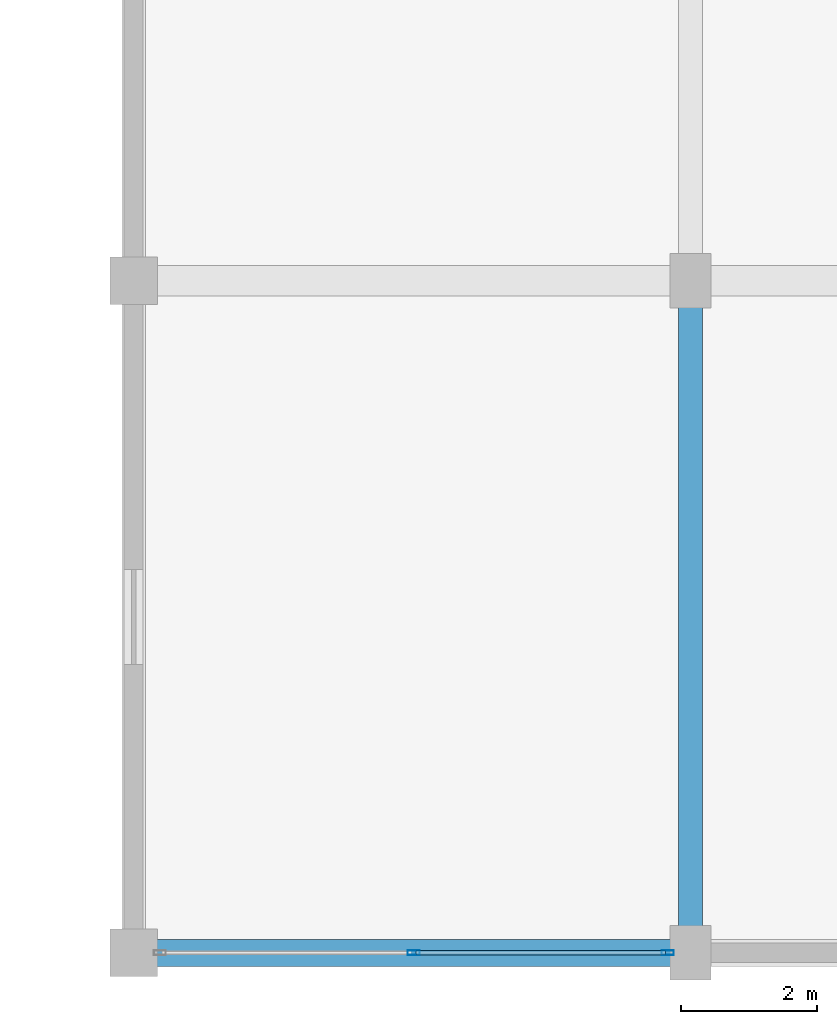
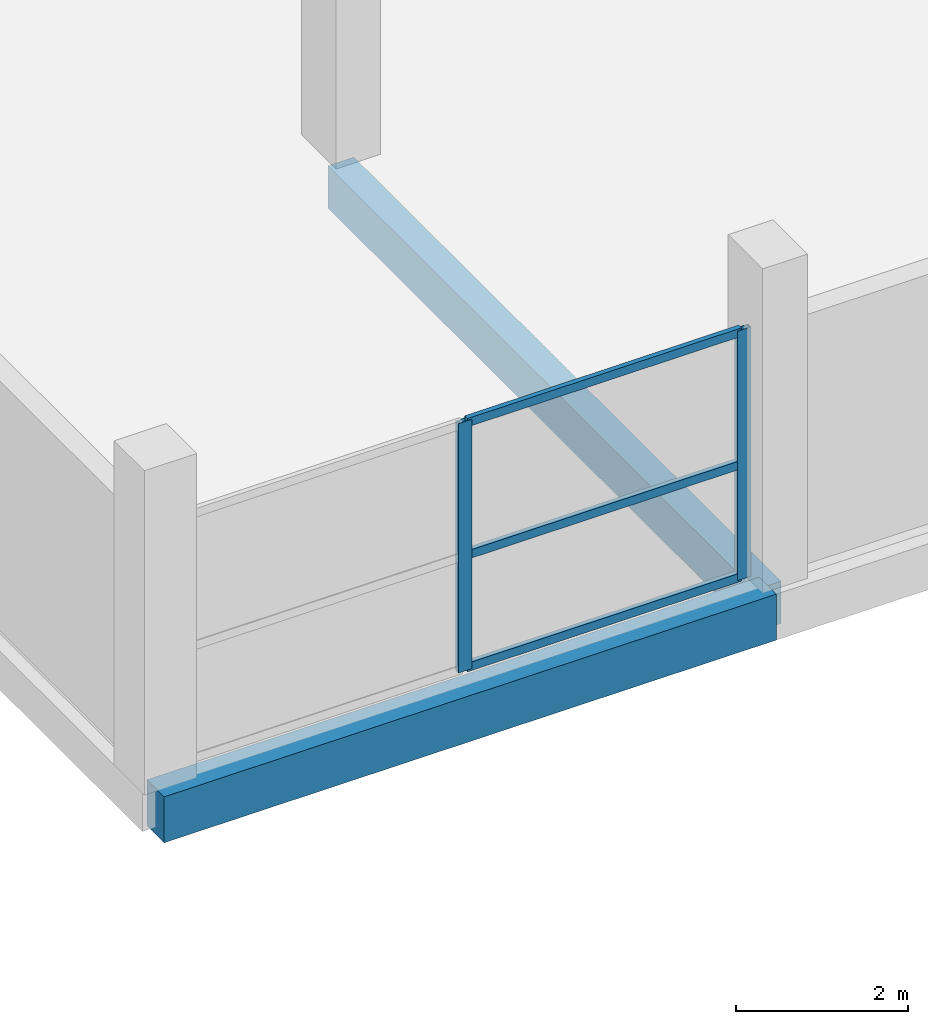
# One storey, part 13 of 55: 5 members, 2 beams, 1 element without a shape of its own.
"""IFC4 building model written with IfcOpenShell, lengths in metres."""

import ifcopenshell
import ifcopenshell.guid

model = None  # the IFC model being written
_history = None  # IfcOwnerHistory: only IFC2X3 demands one
_inside = {}  # id of a spatial element -> (the spatial element, [elements in it])
_under = {}  # id of a project, library or spatial element -> (it, [spatial elements below it])
_declared = {}  # id of a project -> (the project, [libraries it declares])
_typed = {}  # id of a type object -> (the type object, [elements of that type])
_made_of = {}  # id of a material, layer set ... -> (it, [elements and type objects made of it])


def new_model(schema):
    """Start an empty IFC model of exactly this schema.

    Asked for "IFC4X3", IfcOpenShell would pick the latest addendum, in which some entities
    have other attributes; the version numbers below select the first issue.
    IFC2X3 requires an IfcOwnerHistory on every rooted entity: one is made here for all.
    """
    global model, _history
    if schema == "IFC4X3":
        model = ifcopenshell.file(schema_version=(4, 3, 0, 0))
    else:
        model = ifcopenshell.file(schema=schema)
    _inside.clear()
    _under.clear()
    _declared.clear()
    _typed.clear()
    _made_of.clear()
    _history = None
    if model.schema == "IFC2X3":
        org = make("IfcOrganization", Name="unknown")
        user = make(
            "IfcPersonAndOrganization",
            ThePerson=make("IfcPerson", FamilyName="unknown"),
            TheOrganization=org,
        )
        app = make(
            "IfcApplication",
            ApplicationDeveloper=org,
            Version="unknown",
            ApplicationFullName="unknown",
            ApplicationIdentifier="unknown",
        )
        _history = make(
            "IfcOwnerHistory",
            OwningUser=user,
            OwningApplication=app,
            ChangeAction="ADDED",
            CreationDate=0,
        )
    return model


def make(cls, **values):
    """One entity of the class cls with the attributes given. An attribute that is None is left unset."""
    return model.create_entity(
        cls, **{name: value for name, value in values.items() if value is not None}
    )


def rooted(cls, **values):
    """An entity with a GlobalId (a new one), such as an element, a storey or a relation."""
    return make(cls, GlobalId=ifcopenshell.guid.new(), OwnerHistory=_history, **values)


def si_unit(unit_type, name, prefix=None):
    """IfcSIUnit, for example si_unit("LENGTHUNIT", "METRE", prefix="MILLI")."""
    return make("IfcSIUnit", UnitType=unit_type, Prefix=prefix, Name=name)


def assignment(units):
    """IfcUnitAssignment: the units of a project."""
    return None if units is None else make("IfcUnitAssignment", Units=units)


def point(xyz):
    """IfcCartesianPoint."""
    return None if xyz is None else make("IfcCartesianPoint", Coordinates=xyz)


def direction(xyz):
    """IfcDirection."""
    return None if xyz is None else make("IfcDirection", DirectionRatios=xyz)


def frame(location, z_axis=None, x_axis=None):
    """IfcAxis2Placement3D, a coordinate frame: its origin and axes. An axis left out is left unset."""
    return make(
        "IfcAxis2Placement3D",
        Location=point(location),
        Axis=direction(z_axis),
        RefDirection=direction(x_axis),
    )


def frame_2d(location, x_axis=None):
    """IfcAxis2Placement2D, a coordinate frame in the plane: its origin and x axis."""
    return make(
        "IfcAxis2Placement2D", Location=point(location), RefDirection=direction(x_axis)
    )


def origin():
    """The frame at (0, 0, 0) with its axes left unset."""
    return frame((0.0, 0.0, 0.0))


def origin_2d():
    """The frame at (0, 0) in the plane with its x axis left unset."""
    return frame_2d((0.0, 0.0))


def place(relative_to, where):
    """IfcLocalPlacement: puts the frame where relative to a parent placement (None: the world)."""
    return make(
        "IfcLocalPlacement", PlacementRelTo=relative_to, RelativePlacement=where
    )


def context(
    kind, dimensions, precision=None, world=None, true_north=None, identifier=None
):
    """IfcGeometricRepresentationContext, for example the 3D "Model" context."""
    return make(
        "IfcGeometricRepresentationContext",
        ContextIdentifier=identifier,
        ContextType=kind,
        CoordinateSpaceDimension=dimensions,
        Precision=precision,
        WorldCoordinateSystem=world,
        TrueNorth=true_north,
    )


def subcontext(parent, identifier, kind, view, scale=None):
    """IfcGeometricRepresentationSubContext, for example "Body" below "Model"."""
    return make(
        "IfcGeometricRepresentationSubContext",
        ContextIdentifier=identifier,
        ContextType=kind,
        ParentContext=parent,
        TargetScale=scale,
        TargetView=view,
    )


def project(units=None, contexts=None):
    """IfcProject with its units and contexts."""
    return rooted(
        "IfcProject",
        Name="project",
        RepresentationContexts=contexts,
        UnitsInContext=assignment(units),
    )


def spatial(cls, under=None, at=None, **own):
    """A site, building, storey or space (cls), placed at a placement, below another one or the project."""
    s = rooted(cls, ObjectPlacement=at, **own)
    if under is not None:
        _under.setdefault(under.id(), (under, []))[1].append(s)
    return s


def profile(cls, at=None, kind="AREA", **sizes):
    """A parametric profile (cls). Its sizes go by their IFC names, for example OverallWidth=200.0."""
    return make(cls, ProfileType=kind, Position=at, **sizes)


def rectangle(**sizes):
    """IfcRectangleProfileDef."""
    return profile("IfcRectangleProfileDef", **sizes)


def hollow_rectangle(**sizes):
    """IfcRectangleHollowProfileDef."""
    return profile("IfcRectangleHollowProfileDef", **sizes)


def extrude(swept, where, along, depth):
    """IfcExtrudedAreaSolid: the profile swept, set in the frame where, extruded along a direction by depth."""
    return make(
        "IfcExtrudedAreaSolid",
        SweptArea=swept,
        Position=where,
        ExtrudedDirection=direction(along),
        Depth=depth,
    )


def shape(context_of_items, identifier, shape_type, items):
    """IfcShapeRepresentation: the items that make up one representation, for example the "Body"."""
    return make(
        "IfcShapeRepresentation",
        ContextOfItems=context_of_items,
        RepresentationIdentifier=identifier,
        RepresentationType=shape_type,
        Items=items,
    )


def material(Name=None, Category=None):
    """IfcMaterial."""
    return make("IfcMaterial", Name=Name, Category=Category)


def layer(
    of_material, thickness, ventilated=None, Name=None, Category=None, Priority=None
):
    """IfcMaterialLayer: one layer of a wall or slab, of a material (None: an air gap)."""
    return make(
        "IfcMaterialLayer",
        Material=of_material,
        LayerThickness=thickness,
        IsVentilated=ventilated,
        Name=Name,
        Category=Category,
        Priority=Priority,
    )


def layer_set(layers, Name=None):
    """IfcMaterialLayerSet."""
    return make("IfcMaterialLayerSet", MaterialLayers=layers, LayerSetName=Name)


def material_profile(
    of_material, cross_section, Name=None, Category=None, Priority=None
):
    """IfcMaterialProfile: a cross section and its material."""
    return make(
        "IfcMaterialProfile",
        Name=Name,
        Material=of_material,
        Profile=cross_section,
        Priority=Priority,
        Category=Category,
    )


def profile_set(profiles, Name=None, composite=None):
    """IfcMaterialProfileSet."""
    return make(
        "IfcMaterialProfileSet",
        Name=Name,
        MaterialProfiles=profiles,
        CompositeProfile=composite,
    )


def made_of(thing, what):
    """Note that an element or type object is made of a material, layer set ...; save() writes the relation."""
    if what is not None:
        _made_of.setdefault(what.id(), (what, []))[1].append(thing)
    return thing


def type_object(cls, material=None, **own):
    """A type object (cls), such as IfcWallType, which elements share."""
    return made_of(rooted(cls, **own), material)


def element(
    cls,
    number,
    at=None,
    inside=None,
    cuts=None,
    type_object=None,
    material=None,
    context=None,
    identifier="Body",
    shape_type=None,
    held_by="IfcProductDefinitionShape",
    body=None,
    shapes=None,
    **own,
):
    """One element of the class cls, such as IfcWall. Its Tag is "e" and its number.

    at: its placement. inside: the storey or other place that contains it. cuts: it is an
    opening in that element (IfcRelVoidsElement). A single representation is given by context,
    identifier, shape_type and body (its items); several are given by shapes. held_by: the class
    of the entity that holds the representations. save() writes the other relations.
    """
    e = rooted(cls, Tag="e%d" % number, ObjectPlacement=at, **own)
    if body is not None:
        shapes = [shape(context, identifier, shape_type, body)]
    if shapes is not None:
        e.Representation = make(held_by, Representations=shapes)
    if inside is not None:
        _inside.setdefault(inside.id(), (inside, []))[1].append(e)
    if cuts is not None:
        rooted(
            "IfcRelVoidsElement", RelatingBuildingElement=cuts, RelatedOpeningElement=e
        )
    if type_object is not None:
        _typed.setdefault(type_object.id(), (type_object, []))[1].append(e)
    return made_of(e, material)


def aggregate(whole, parts):
    """IfcRelAggregates: a whole, such as a stair, and the parts it consists of."""
    return rooted("IfcRelAggregates", RelatingObject=whole, RelatedObjects=parts)


def save(model, path):
    """Write the relations noted so far, then the file.

    IfcRelAggregates (storeys below a building ...), IfcRelContainedInSpatialStructure (elements
    in a storey), IfcRelDefinesByType, IfcRelAssociatesMaterial and IfcRelDeclares: one each for
    every whole, place, type object, material and project.
    """
    for whole, parts in _under.values():
        aggregate(whole, parts)
    for where, things in _inside.values():
        rooted(
            "IfcRelContainedInSpatialStructure",
            RelatedElements=things,
            RelatingStructure=where,
        )
    for kind, things in _typed.values():
        rooted("IfcRelDefinesByType", RelatedObjects=things, RelatingType=kind)
    for what, things in _made_of.values():
        rooted("IfcRelAssociatesMaterial", RelatedObjects=things, RelatingMaterial=what)
    for by, libraries in _declared.values():
        rooted("IfcRelDeclares", RelatingContext=by, RelatedDefinitions=libraries)
    model.write(path)


model = new_model("IFC4")

# Units and contexts
model_context = context("Model", 3, precision=1e-05, world=origin(), true_north=direction((0.0, 1.0)))
body_context = subcontext(model_context, "Body", "Model", "MODEL_VIEW")
ifc_project = project(units=[si_unit("LENGTHUNIT", "METRE"), si_unit("AREAUNIT", "SQUARE_METRE"), si_unit("VOLUMEUNIT", "CUBIC_METRE"), si_unit("PLANEANGLEUNIT", "RADIAN"), si_unit("MASSUNIT", "GRAM", prefix="KILO")], contexts=[model_context])

# Site, building, storey
site_placement = place(None, origin())
site = spatial("IfcSite", under=ifc_project, at=site_placement, CompositionType="ELEMENT")
building_placement = place(site_placement, origin())
building = spatial("IfcBuilding", under=site, at=building_placement, Name="Sillaruma Civic Art Gallery", CompositionType="ELEMENT")
storey_placement = place(building_placement, frame((0.0, 0.0, 37.739990234375)))
storey = spatial("IfcBuildingStorey", under=building, at=storey_placement, Name="L07", CompositionType="ELEMENT", Elevation=37.739990234375)

# Beams
ifc_material_1 = material(Name="Concrete H35 (35 MPa)", Category="concrete")
ifc_material_profile_1 = material_profile(ifc_material_1, rectangle(XDim=0.35009765625, YDim=0.60009765625, at=origin_2d()), Name="RCB350x600")
ifc_profile_set_1 = profile_set([ifc_material_profile_1], Name="Concrete H35 (35 MPa)")
beam_type_1 = type_object("IfcBeamType", Name="BM-BEAM-RCB350x600", PredefinedType="BEAM", material=ifc_profile_set_1)
beam_1_placement = place(storey_placement, frame((106.199951171875, 19.800048828125, -0.5400390625), z_axis=(0.0, 1.0, 0.0), x_axis=(-1.0, 0.0, 0.0)))
element("IfcBeam", 1, at=beam_1_placement, inside=storey, type_object=beam_type_1, Name="Beam BM-06 (L06:M:3-4)", PredefinedType="BEAM", context=body_context, shape_type="SweptSolid", body=[
    extrude(rectangle(XDim=0.35009765625, YDim=0.60009765625, at=origin_2d()), origin(), (0.0, 0.0, 1.0), 9.89990234375),
])
ifc_material_profile_2 = material_profile(ifc_material_1, rectangle(XDim=0.39990234375, YDim=0.64990234375, at=origin_2d()), Name="RCB400x650")
ifc_profile_set_2 = profile_set([ifc_material_profile_2], Name="Concrete H35 (35 MPa)")
beam_type_2 = type_object("IfcBeamType", Name="BM-SPANDREL-RCB400x650", PredefinedType="SPANDREL", material=ifc_profile_set_2)
beam_2_placement = place(storey_placement, frame((98.0, 19.800048828125, -0.56494140625), z_axis=(1.0, 0.0, 0.0), x_axis=(0.0, 1.0, 0.0)))
element("IfcBeam", 2, at=beam_2_placement, inside=storey, type_object=beam_type_2, Name="Beam BS-02 (L06:3:L-M)", PredefinedType="SPANDREL", context=body_context, shape_type="SweptSolid", body=[
    extrude(rectangle(XDim=0.39990234375, YDim=0.64990234375, at=origin_2d()), origin(), (0.0, 0.0, 1.0), 8.199951171875),
])

# Curtain wall, members
ifc_material_2 = material(Name="Thermally Broken Extruded Aluminium 6063-T6", Category="aluminium")
ifc_layer = layer(ifc_material_2, 0.179931640625, Name="Thermally Broken Extruded Aluminium 6063-T6")
ifc_layer_set = layer_set([ifc_layer], Name="Thermally Broken Extruded Aluminium 6063-T6")
curtain_wall_type = type_object("IfcCurtainWallType", Name="CW-UNI-52", PredefinedType="NOTDEFINED", material=ifc_layer_set)
curtain_wall_placement = place(storey_placement, origin())
curtain_wall = element("IfcCurtainWall", 3, at=curtain_wall_placement, inside=storey, type_object=curtain_wall_type, Name="Unitised Curtain Wall CW-52 (CW-L07-S-6)", PredefinedType="NOTDEFINED")
ifc_material_profile_3 = material_profile(ifc_material_2, hollow_rectangle(XDim=0.070068359375, YDim=0.179931640625, WallThickness=0.00390625, at=origin_2d()), Name="CWM70x180")
ifc_profile_set_3 = profile_set([ifc_material_profile_3], Name="Thermally Broken Extruded Aluminium 6063-T6")
member_type_1 = type_object("IfcMemberType", Name="MEM-MUL-CWM70x180", PredefinedType="MULLION", material=ifc_profile_set_3)
member_1_placement = place(storey_placement, frame((102.125, 19.800048828125, 0.0), z_axis=(0.0, 0.0, 1.0), x_axis=(0.0, 1.0, 0.0)))
member_1 = element("IfcMember", 4, at=member_1_placement, type_object=member_type_1, Name="CW-52 mullion 2", PredefinedType="MULLION", context=body_context, shape_type="SweptSolid", body=[
    extrude(hollow_rectangle(XDim=0.070068359375, YDim=0.179931640625, WallThickness=0.00390625, at=origin_2d()), origin(), (0.0, 0.0, 1.0), 3.530029296875),
])
member_2_placement = place(storey_placement, frame((105.864990234375, 19.800048828125, 0.0), z_axis=(0.0, 0.0, 1.0), x_axis=(0.0, 1.0, 0.0)))
member_2 = element("IfcMember", 5, at=member_2_placement, type_object=member_type_1, Name="CW-52 mullion 3", PredefinedType="MULLION", context=body_context, shape_type="SweptSolid", body=[
    extrude(hollow_rectangle(XDim=0.070068359375, YDim=0.179931640625, WallThickness=0.00390625, at=origin_2d()), origin(), (0.0, 0.0, 1.0), 3.530029296875),
])
ifc_material_profile_4 = material_profile(ifc_material_2, hollow_rectangle(XDim=0.06494140625, YDim=0.1201171875, WallThickness=0.00341796875, at=origin_2d()), Name="CWT65x120")
ifc_profile_set_4 = profile_set([ifc_material_profile_4], Name="Thermally Broken Extruded Aluminium 6063-T6")
member_type_2 = type_object("IfcMemberType", Name="MEM-TRN-CWT65x120", PredefinedType="USERDEFINED", material=ifc_profile_set_4)
member_3_placement = place(storey_placement, frame((102.159912109375, 19.800048828125, 0.032470703125), z_axis=(1.0, 0.0, 0.0), x_axis=(0.0, 1.0, 0.0)))
member_3 = element("IfcMember", 6, at=member_3_placement, type_object=member_type_2, Name="CW-52 transom 2.1", ObjectType="TRANSOM", PredefinedType="USERDEFINED", context=body_context, shape_type="SweptSolid", body=[
    extrude(hollow_rectangle(XDim=0.06494140625, YDim=0.1201171875, WallThickness=0.00341796875, at=origin_2d()), origin(), (0.0, 0.0, 1.0), 3.670166015625),
])
member_4_placement = place(storey_placement, frame((102.159912109375, 19.800048828125, 1.623779296875), z_axis=(1.0, 0.0, 0.0), x_axis=(0.0, 1.0, 0.0)))
member_4 = element("IfcMember", 7, at=member_4_placement, type_object=member_type_2, Name="CW-52 transom 2.2", ObjectType="TRANSOM", PredefinedType="USERDEFINED", context=body_context, shape_type="SweptSolid", body=[
    extrude(hollow_rectangle(XDim=0.06494140625, YDim=0.1201171875, WallThickness=0.00341796875, at=origin_2d()), origin(), (0.0, 0.0, 1.0), 3.670166015625),
])
member_5_placement = place(storey_placement, frame((102.159912109375, 19.800048828125, 3.49755859375), z_axis=(1.0, 0.0, 0.0), x_axis=(0.0, 1.0, 0.0)))
member_5 = element("IfcMember", 8, at=member_5_placement, type_object=member_type_2, Name="CW-52 transom 2.3", ObjectType="TRANSOM", PredefinedType="USERDEFINED", context=body_context, shape_type="SweptSolid", body=[
    extrude(hollow_rectangle(XDim=0.06494140625, YDim=0.1201171875, WallThickness=0.00341796875, at=origin_2d()), origin(), (0.0, 0.0, 1.0), 3.670166015625),
])
aggregate(curtain_wall, [member_1, member_2, member_3, member_4, member_5])

save(model, "model.ifc")
